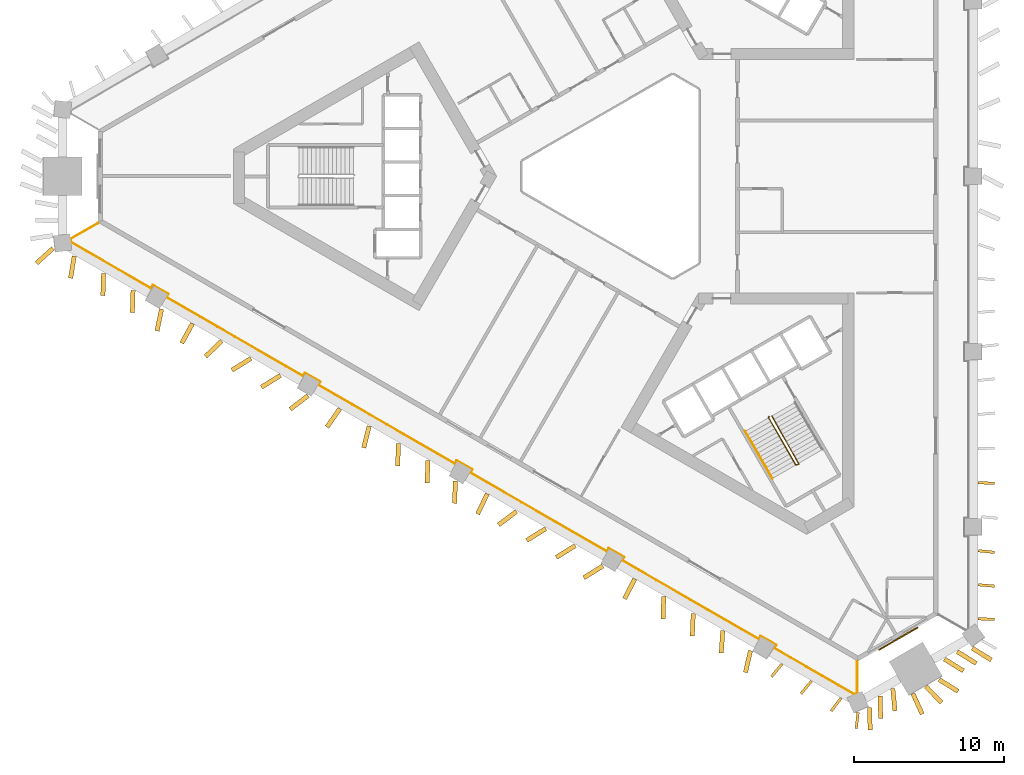
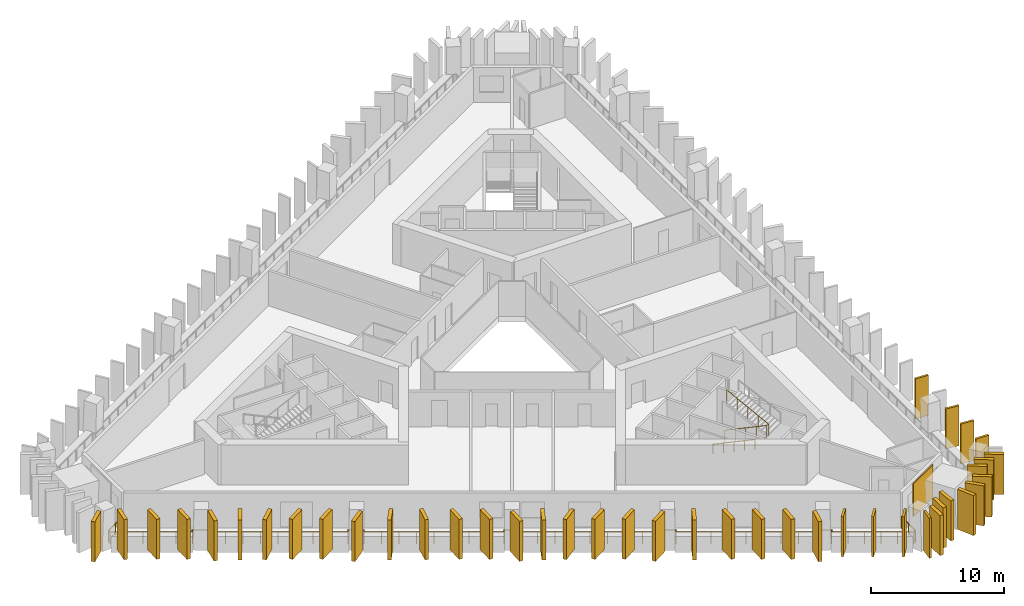
# One storey, part 7 of 10: 42 shading devices, 3 railings, 1 covering.
"""IFC4 building model written with IfcOpenShell, lengths in metres."""

from ifc_helpers import new_model, si_unit, direction, frame, frame_2d, origin, origin_2d, place, context, subcontext, project, spatial, rectangle, circle, extrude, material, layer, layer_set, type_object, element, save


model = new_model("IFC4")

# Units and contexts
model_context = context("Model", 3, precision=1e-05, world=origin(), true_north=direction((0.0, 1.0)))
body_context = subcontext(model_context, "Body", "Model", "MODEL_VIEW")
ifc_project = project(units=[si_unit("LENGTHUNIT", "METRE"), si_unit("AREAUNIT", "SQUARE_METRE"), si_unit("VOLUMEUNIT", "CUBIC_METRE"), si_unit("PLANEANGLEUNIT", "RADIAN"), si_unit("MASSUNIT", "GRAM", prefix="KILO")], contexts=[model_context])

# Site, building, storey
site_placement = place(None, origin())
site = spatial("IfcSite", under=ifc_project, at=site_placement, CompositionType="ELEMENT")
building_placement = place(site_placement, origin())
building = spatial("IfcBuilding", under=site, at=building_placement, Name="Jabali Bay Hotel Tower and Convention Centre", CompositionType="ELEMENT")
storey_placement = place(building_placement, frame((0.0, 0.0, 86.89990234375)))
storey = spatial("IfcBuildingStorey", under=building, at=storey_placement, Name="L20", CompositionType="ELEMENT", Elevation=86.89990234375)

# Railing
ifc_material_1 = material(Name="Glass", Category="glass")
railing_type_1 = type_object("IfcRailingType", Name="Loggia glass guard 1100", PredefinedType="BALUSTRADE", material=ifc_material_1)
railing_1_placement = place(storey_placement, frame((90.115234375, 47.542724609375, 0.0)))
element("IfcRailing", 1, at=railing_1_placement, inside=storey, type_object=railing_type_1, Name="Loggia glass guard L20", PredefinedType="BALUSTRADE", context=body_context, shape_type="SweptSolid", body=[
    extrude(circle(Radius=0.02490234375, at=origin_2d()), frame((0.0, 0.0, 1.0751953125), z_axis=(0.0, -1.0, 0.0), x_axis=(0.991444861374, 0.0, 0.13052619222)), (0.0, 0.0, 1.0), 2.110595703125),
    extrude(circle(Radius=0.02490234375, at=origin_2d()), frame((0.0, -2.110595703125, 1.0751953125), z_axis=(-0.918438029816, -0.395564894029, 0.0), x_axis=(0.392180781525, -0.910580665151, 0.13052619222)), (0.0, 0.0, 1.0), 0.21484375),
    extrude(circle(Radius=0.02490234375, at=origin_2d()), frame((-0.197265625, -2.195556640625, 1.0751953125), z_axis=(-0.866024386693, 0.50000176165, 0.0), x_axis=(-0.495724177266, -0.858615428011, 0.13052619222)), (0.0, 0.0, 1.0), 6.17919921875),
    extrude(circle(Radius=0.02490234375, at=origin_2d()), frame((-5.548583984375, 0.89404296875, 1.0751953125), z_axis=(0.499919672301, 0.866071776036, 0.0), x_axis=(-0.858662411932, 0.495642790202, 0.13052619222)), (0.0, 0.0, 1.0), 0.25),
    extrude(circle(Radius=0.02490234375, at=origin_2d()), frame((-5.423583984375, 1.110595703125, 1.0751953125), z_axis=(-0.866006032174, 0.500033551112, 0.0), x_axis=(-0.495755694765, -0.858597230518, 0.13052619222)), (0.0, 0.0, 1.0), 1.2001953125),
    extrude(circle(Radius=0.02490234375, at=origin_2d()), frame((-6.462890625, 1.710693359375, 1.0751953125), z_axis=(-0.499919672301, -0.866071776036, 0.0), x_axis=(0.858662411932, -0.495642790202, 0.13052619222)), (0.0, 0.0, 1.0), 0.25),
    extrude(circle(Radius=0.02490234375, at=origin_2d()), frame((-6.587890625, 1.494140625, 1.0751953125), z_axis=(-0.866026562566, 0.499997992926, 0.0), x_axis=(-0.495720440783, -0.858617585269, 0.13052619222)), (0.0, 0.0, 1.0), 10.533203125),
    extrude(circle(Radius=0.02490234375, at=origin_2d()), frame((-15.7099609375, 6.7607421875, 1.0751953125), z_axis=(0.499919672301, 0.866071776036, 0.0), x_axis=(-0.858662411932, 0.495642790202, 0.13052619222)), (0.0, 0.0, 1.0), 0.25),
    extrude(circle(Radius=0.02490234375, at=origin_2d()), frame((-15.5849609375, 6.977294921875, 1.0751953125), z_axis=(-0.866094119867, 0.499880961361, 0.0), x_axis=(-0.49560441044, -0.858684564609, 0.13052619222)), (0.0, 0.0, 1.0), 1.199951171875),
    extrude(circle(Radius=0.02490234375, at=origin_2d()), frame((-16.624267578125, 7.5771484375, 1.0751953125), z_axis=(-0.499919672301, -0.866071776036, 0.0), x_axis=(0.858662411932, -0.495642790202, 0.13052619222)), (0.0, 0.0, 1.0), 0.25),
    extrude(circle(Radius=0.02490234375, at=origin_2d()), frame((-16.749267578125, 7.360595703125, 1.0751953125), z_axis=(-0.866016526123, 0.500015376246, 0.0), x_axis=(-0.495737675387, -0.858607634689, 0.13052619222)), (0.0, 0.0, 1.0), 10.533447265625),
    extrude(circle(Radius=0.02490234375, at=origin_2d()), frame((-25.871337890625, 12.62744140625, 1.0751953125), z_axis=(0.500342721131, 0.865827443207, 0.0), x_axis=(-0.858420169404, 0.496062219791, 0.13052619222)), (0.0, 0.0, 1.0), 0.249755859375),
    extrude(circle(Radius=0.02490234375, at=origin_2d()), frame((-25.746337890625, 12.84375, 1.0751953125), z_axis=(-0.865955154139, 0.50012165622, 0.0), x_axis=(-0.495843046121, -0.858546787751, 0.13052619222)), (0.0, 0.0, 1.0), 1.199951171875),
    extrude(circle(Radius=0.02490234375, at=origin_2d()), frame((-26.785400390625, 13.44384765625, 1.0751953125), z_axis=(-0.499919672301, -0.866071776036, 0.0), x_axis=(0.858662411932, -0.495642790202, 0.13052619222)), (0.0, 0.0, 1.0), 0.25),
    extrude(circle(Radius=0.02490234375, at=origin_2d()), frame((-26.910400390625, 13.227294921875, 1.0751953125), z_axis=(-0.866026562566, 0.499997992926, 0.0), x_axis=(-0.495720440783, -0.858617585269, 0.13052619222)), (0.0, 0.0, 1.0), 10.533203125),
    extrude(circle(Radius=0.02490234375, at=origin_2d()), frame((-36.032470703125, 18.493896484375, 1.0751953125), z_axis=(0.499919672301, 0.866071776036, 0.0), x_axis=(-0.858662411932, 0.495642790202, 0.13052619222)), (0.0, 0.0, 1.0), 0.25),
    extrude(circle(Radius=0.02490234375, at=origin_2d()), frame((-35.907470703125, 18.71044921875, 1.0751953125), z_axis=(-0.866006032174, 0.500033551112, 0.0), x_axis=(-0.495755694765, -0.858597230518, 0.13052619222)), (0.0, 0.0, 1.0), 1.2001953125),
    extrude(circle(Radius=0.02490234375, at=origin_2d()), frame((-36.94677734375, 19.310546875, 1.0751953125), z_axis=(-0.499919672301, -0.866071776036, 0.0), x_axis=(0.858662411932, -0.495642790202, 0.13052619222)), (0.0, 0.0, 1.0), 0.25),
    extrude(circle(Radius=0.02490234375, at=origin_2d()), frame((-37.07177734375, 19.093994140625, 1.0751953125), z_axis=(-0.866026562566, 0.499997992926, 0.0), x_axis=(-0.495720440783, -0.858617585269, 0.13052619222)), (0.0, 0.0, 1.0), 10.533203125),
    extrude(circle(Radius=0.02490234375, at=origin_2d()), frame((-46.19384765625, 24.360595703125, 1.0751953125), z_axis=(0.499919672301, 0.866071776036, 0.0), x_axis=(-0.858662411932, 0.495642790202, 0.13052619222)), (0.0, 0.0, 1.0), 0.25),
    extrude(circle(Radius=0.02490234375, at=origin_2d()), frame((-46.06884765625, 24.5771484375, 1.0751953125), z_axis=(-0.866094119867, 0.499880961361, 0.0), x_axis=(-0.49560441044, -0.858684564609, 0.13052619222)), (0.0, 0.0, 1.0), 1.199951171875),
    extrude(circle(Radius=0.02490234375, at=origin_2d()), frame((-47.108154296875, 25.177001953125, 1.0751953125), z_axis=(-0.499919672301, -0.866071776036, 0.0), x_axis=(0.858662411932, -0.495642790202, 0.13052619222)), (0.0, 0.0, 1.0), 0.25),
    extrude(circle(Radius=0.02490234375, at=origin_2d()), frame((-47.233154296875, 24.96044921875, 1.0751953125), z_axis=(-0.866007278059, 0.500031393363, 0.0), x_axis=(-0.495753555475, -0.858598465744, 0.13052619222)), (0.0, 0.0, 1.0), 6.17919921875),
    extrude(circle(Radius=0.02490234375, at=origin_2d()), frame((-52.58447265625, 28.05029296875, 1.0751953125), z_axis=(-0.117171257249, 0.993111724065, 0.0), x_axis=(-0.984615515594, -0.116168840901, 0.13052619222)), (0.0, 0.0, 1.0), 0.214599609375),
    extrude(circle(Radius=0.02490234375, at=origin_2d()), frame((-52.609619140625, 28.263427734375, 1.0751953125), z_axis=(0.866006443985, 0.500032837899, 0.0), x_axis=(-0.495754987653, 0.858597638805, 0.13052619222)), (0.0, 0.0, 1.0), 2.110595703125),
    extrude(circle(Radius=0.02001953125, at=origin_2d()), origin(), (0.0, 0.0, 1.0), 1.050048828125),
    extrude(circle(Radius=0.02001953125, at=origin_2d()), frame((0.0, -1.05517578125, 0.0)), (0.0, 0.0, 1.0), 1.050048828125),
    extrude(circle(Radius=0.02001953125, at=origin_2d()), frame((0.0, -2.110595703125, 0.0)), (0.0, 0.0, 1.0), 1.050048828125),
    extrude(circle(Radius=0.02001953125, at=origin_2d()), frame((-0.197265625, -2.195556640625, 0.0)), (0.0, 0.0, 1.0), 1.050048828125),
    extrude(circle(Radius=0.02001953125, at=origin_2d()), frame((-1.267578125, -1.57763671875, 0.0)), (0.0, 0.0, 1.0), 1.050048828125),
    extrude(circle(Radius=0.02001953125, at=origin_2d()), frame((-2.337890625, -0.959716796875, 0.0)), (0.0, 0.0, 1.0), 1.050048828125),
    extrude(circle(Radius=0.02001953125, at=origin_2d()), frame((-3.407958984375, -0.341796875, 0.0)), (0.0, 0.0, 1.0), 1.050048828125),
    extrude(circle(Radius=0.02001953125, at=origin_2d()), frame((-4.478271484375, 0.276123046875, 0.0)), (0.0, 0.0, 1.0), 1.050048828125),
    extrude(circle(Radius=0.02001953125, at=origin_2d()), frame((-5.548583984375, 0.89404296875, 0.0)), (0.0, 0.0, 1.0), 1.050048828125),
    extrude(circle(Radius=0.02001953125, at=origin_2d()), frame((-5.423583984375, 1.110595703125, 0.0)), (0.0, 0.0, 1.0), 1.050048828125),
    extrude(circle(Radius=0.02001953125, at=origin_2d()), frame((-6.462890625, 1.710693359375, 0.0)), (0.0, 0.0, 1.0), 1.050048828125),
    extrude(circle(Radius=0.02001953125, at=origin_2d()), frame((-6.587890625, 1.494140625, 0.0)), (0.0, 0.0, 1.0), 1.050048828125),
    extrude(circle(Radius=0.02001953125, at=origin_2d()), frame((-7.72802734375, 2.15234375, 0.0)), (0.0, 0.0, 1.0), 1.050048828125),
    extrude(circle(Radius=0.02001953125, at=origin_2d()), frame((-8.868408203125, 2.810791015625, 0.0)), (0.0, 0.0, 1.0), 1.050048828125),
    extrude(circle(Radius=0.02001953125, at=origin_2d()), frame((-10.0087890625, 3.46923828125, 0.0)), (0.0, 0.0, 1.0), 1.050048828125),
    extrude(circle(Radius=0.02001953125, at=origin_2d()), frame((-11.14892578125, 4.12744140625, 0.0)), (0.0, 0.0, 1.0), 1.050048828125),
    extrude(circle(Radius=0.02001953125, at=origin_2d()), frame((-12.2890625, 4.78564453125, 0.0)), (0.0, 0.0, 1.0), 1.050048828125),
    extrude(circle(Radius=0.02001953125, at=origin_2d()), frame((-13.429443359375, 5.444091796875, 0.0)), (0.0, 0.0, 1.0), 1.050048828125),
    extrude(circle(Radius=0.02001953125, at=origin_2d()), frame((-14.56982421875, 6.1025390625, 0.0)), (0.0, 0.0, 1.0), 1.050048828125),
    extrude(circle(Radius=0.02001953125, at=origin_2d()), frame((-15.7099609375, 6.7607421875, 0.0)), (0.0, 0.0, 1.0), 1.050048828125),
    extrude(circle(Radius=0.02001953125, at=origin_2d()), frame((-15.5849609375, 6.977294921875, 0.0)), (0.0, 0.0, 1.0), 1.050048828125),
    extrude(circle(Radius=0.02001953125, at=origin_2d()), frame((-16.624267578125, 7.5771484375, 0.0)), (0.0, 0.0, 1.0), 1.050048828125),
    extrude(circle(Radius=0.02001953125, at=origin_2d()), frame((-16.749267578125, 7.360595703125, 0.0)), (0.0, 0.0, 1.0), 1.050048828125),
    extrude(circle(Radius=0.02001953125, at=origin_2d()), frame((-17.8896484375, 8.01904296875, 0.0)), (0.0, 0.0, 1.0), 1.050048828125),
    extrude(circle(Radius=0.02001953125, at=origin_2d()), frame((-19.02978515625, 8.67724609375, 0.0)), (0.0, 0.0, 1.0), 1.050048828125),
    extrude(circle(Radius=0.02001953125, at=origin_2d()), frame((-20.169921875, 9.335693359375, 0.0)), (0.0, 0.0, 1.0), 1.050048828125),
    extrude(circle(Radius=0.02001953125, at=origin_2d()), frame((-21.310302734375, 9.994140625, 0.0)), (0.0, 0.0, 1.0), 1.050048828125),
    extrude(circle(Radius=0.02001953125, at=origin_2d()), frame((-22.45068359375, 10.65234375, 0.0)), (0.0, 0.0, 1.0), 1.050048828125),
    extrude(circle(Radius=0.02001953125, at=origin_2d()), frame((-23.5908203125, 11.310791015625, 0.0)), (0.0, 0.0, 1.0), 1.050048828125),
    extrude(circle(Radius=0.02001953125, at=origin_2d()), frame((-24.73095703125, 11.968994140625, 0.0)), (0.0, 0.0, 1.0), 1.050048828125),
    extrude(circle(Radius=0.02001953125, at=origin_2d()), frame((-25.871337890625, 12.62744140625, 0.0)), (0.0, 0.0, 1.0), 1.050048828125),
    extrude(circle(Radius=0.02001953125, at=origin_2d()), frame((-25.746337890625, 12.84375, 0.0)), (0.0, 0.0, 1.0), 1.050048828125),
    extrude(circle(Radius=0.02001953125, at=origin_2d()), frame((-26.785400390625, 13.44384765625, 0.0)), (0.0, 0.0, 1.0), 1.050048828125),
    extrude(circle(Radius=0.02001953125, at=origin_2d()), frame((-26.910400390625, 13.227294921875, 0.0)), (0.0, 0.0, 1.0), 1.050048828125),
    extrude(circle(Radius=0.02001953125, at=origin_2d()), frame((-28.05078125, 13.8857421875, 0.0)), (0.0, 0.0, 1.0), 1.050048828125),
    extrude(circle(Radius=0.02001953125, at=origin_2d()), frame((-29.19091796875, 14.5439453125, 0.0)), (0.0, 0.0, 1.0), 1.050048828125),
    extrude(circle(Radius=0.02001953125, at=origin_2d()), frame((-30.3310546875, 15.2021484375, 0.0)), (0.0, 0.0, 1.0), 1.050048828125),
    extrude(circle(Radius=0.02001953125, at=origin_2d()), frame((-31.471435546875, 15.860595703125, 0.0)), (0.0, 0.0, 1.0), 1.050048828125),
    extrude(circle(Radius=0.02001953125, at=origin_2d()), frame((-32.61181640625, 16.51904296875, 0.0)), (0.0, 0.0, 1.0), 1.050048828125),
    extrude(circle(Radius=0.02001953125, at=origin_2d()), frame((-33.751953125, 17.17724609375, 0.0)), (0.0, 0.0, 1.0), 1.050048828125),
    extrude(circle(Radius=0.02001953125, at=origin_2d()), frame((-34.89208984375, 17.83544921875, 0.0)), (0.0, 0.0, 1.0), 1.050048828125),
    extrude(circle(Radius=0.02001953125, at=origin_2d()), frame((-36.032470703125, 18.493896484375, 0.0)), (0.0, 0.0, 1.0), 1.050048828125),
    extrude(circle(Radius=0.02001953125, at=origin_2d()), frame((-35.907470703125, 18.71044921875, 0.0)), (0.0, 0.0, 1.0), 1.050048828125),
    extrude(circle(Radius=0.02001953125, at=origin_2d()), frame((-36.94677734375, 19.310546875, 0.0)), (0.0, 0.0, 1.0), 1.050048828125),
    extrude(circle(Radius=0.02001953125, at=origin_2d()), frame((-37.07177734375, 19.093994140625, 0.0)), (0.0, 0.0, 1.0), 1.050048828125),
    extrude(circle(Radius=0.02001953125, at=origin_2d()), frame((-38.2119140625, 19.75244140625, 0.0)), (0.0, 0.0, 1.0), 1.050048828125),
    extrude(circle(Radius=0.02001953125, at=origin_2d()), frame((-39.352294921875, 20.41064453125, 0.0)), (0.0, 0.0, 1.0), 1.050048828125),
    extrude(circle(Radius=0.02001953125, at=origin_2d()), frame((-40.49267578125, 21.06884765625, 0.0)), (0.0, 0.0, 1.0), 1.050048828125),
    extrude(circle(Radius=0.02001953125, at=origin_2d()), frame((-41.6328125, 21.727294921875, 0.0)), (0.0, 0.0, 1.0), 1.050048828125),
    extrude(circle(Radius=0.02001953125, at=origin_2d()), frame((-42.77294921875, 22.3857421875, 0.0)), (0.0, 0.0, 1.0), 1.050048828125),
    extrude(circle(Radius=0.02001953125, at=origin_2d()), frame((-43.913330078125, 23.0439453125, 0.0)), (0.0, 0.0, 1.0), 1.050048828125),
    extrude(circle(Radius=0.02001953125, at=origin_2d()), frame((-45.0537109375, 23.7021484375, 0.0)), (0.0, 0.0, 1.0), 1.050048828125),
    extrude(circle(Radius=0.02001953125, at=origin_2d()), frame((-46.19384765625, 24.360595703125, 0.0)), (0.0, 0.0, 1.0), 1.050048828125),
    extrude(circle(Radius=0.02001953125, at=origin_2d()), frame((-46.06884765625, 24.5771484375, 0.0)), (0.0, 0.0, 1.0), 1.050048828125),
    extrude(circle(Radius=0.02001953125, at=origin_2d()), frame((-47.108154296875, 25.177001953125, 0.0)), (0.0, 0.0, 1.0), 1.050048828125),
    extrude(circle(Radius=0.02001953125, at=origin_2d()), frame((-47.233154296875, 24.96044921875, 0.0)), (0.0, 0.0, 1.0), 1.050048828125),
    extrude(circle(Radius=0.02001953125, at=origin_2d()), frame((-48.303466796875, 25.578369140625, 0.0)), (0.0, 0.0, 1.0), 1.050048828125),
    extrude(circle(Radius=0.02001953125, at=origin_2d()), frame((-49.373779296875, 26.1962890625, 0.0)), (0.0, 0.0, 1.0), 1.050048828125),
    extrude(circle(Radius=0.02001953125, at=origin_2d()), frame((-50.44384765625, 26.814453125, 0.0)), (0.0, 0.0, 1.0), 1.050048828125),
    extrude(circle(Radius=0.02001953125, at=origin_2d()), frame((-51.51416015625, 27.432373046875, 0.0)), (0.0, 0.0, 1.0), 1.050048828125),
    extrude(circle(Radius=0.02001953125, at=origin_2d()), frame((-52.58447265625, 28.05029296875, 0.0)), (0.0, 0.0, 1.0), 1.050048828125),
    extrude(circle(Radius=0.02001953125, at=origin_2d()), frame((-52.609619140625, 28.263427734375, 0.0)), (0.0, 0.0, 1.0), 1.050048828125),
    extrude(circle(Radius=0.02001953125, at=origin_2d()), frame((-51.69580078125, 28.791015625, 0.0)), (0.0, 0.0, 1.0), 1.050048828125),
    extrude(circle(Radius=0.02001953125, at=origin_2d()), frame((-50.78173828125, 29.31884765625, 0.0)), (0.0, 0.0, 1.0), 1.050048828125),
])

# Shading devices
ifc_material_2 = material(Name="Precast concrete C60", Category="concrete")
ifc_layer_1 = layer(ifc_material_2, 0.179931640625)
ifc_layer_set_1 = layer_set([ifc_layer_1], Name="Precast concrete C60")
shading_device_type_1 = type_object("IfcShadingDeviceType", Name="Precast fin 3680 x 1100", PredefinedType="USERDEFINED", material=ifc_layer_set_1)
shading_device_1_placement = place(storey_placement, frame((98.196533203125, 50.405029296875, 0.010009765625), z_axis=(0.0, 0.0, 1.0), x_axis=(0.999496140034, -0.031740605824, 0.0)))
element("IfcShadingDevice", 2, at=shading_device_1_placement, inside=storey, type_object=shading_device_type_1, Name="Fin L20 000", ObjectType="FIN", PredefinedType="USERDEFINED", context=body_context, shape_type="SweptSolid", body=[
    extrude(rectangle(XDim=1.099853515625, YDim=0.179931640625, at=frame_2d((0.5498046875, 0.0))), origin(), (0.0, 0.0, 1.0), 3.68017578125),
])
shading_device_2_placement = place(storey_placement, frame((98.201171875, 52.681396484375, 0.010009765625), z_axis=(0.0, 0.0, 1.0), x_axis=(0.996419120932, -0.084551377522, 0.0)))
element("IfcShadingDevice", 3, at=shading_device_2_placement, inside=storey, type_object=shading_device_type_1, Name="Fin L20 001", ObjectType="FIN", PredefinedType="USERDEFINED", context=body_context, shape_type="SweptSolid", body=[
    extrude(rectangle(XDim=1.10009765625, YDim=0.179931640625, at=frame_2d((0.550048828125, 0.0))), origin(), (0.0, 0.0, 1.0), 3.68017578125),
])
for number, where, z_axis, x_axis, name in (
    (4, (98.20263671875, 54.9580078125, 0.010009765625), (0.0, 0.0, 1.0), (0.995087609246, -0.098998231926, 0.0), "Fin L20 002"),
    (5, (98.197998046875, 59.51123046875, 0.010009765625), (0.0, 0.0, 1.0), (0.998871148906, -0.047501872415, 0.0), "Fin L20 004"),
):
    element("IfcShadingDevice", number, at=place(storey_placement, frame(where, z_axis=z_axis, x_axis=x_axis)), inside=storey, type_object=shading_device_type_1, Name=name, ObjectType="FIN", PredefinedType="USERDEFINED", context=body_context, shape_type="SweptSolid", body=[
        extrude(rectangle(XDim=1.099853515625, YDim=0.179931640625, at=frame_2d((0.5498046875, 0.0))), origin(), (0.0, 0.0, 1.0), 3.68017578125),
    ])
for number, where, z_axis, x_axis, name in (
    (6, (85.082275390625, 47.37939453125, 0.010009765625), (0.0, 0.0, 1.0), (-0.641624054515, -0.767019277898, 0.0), "Fin L20 096"),
    (7, (87.053955078125, 46.2412109375, 0.010009765625), (0.0, 0.0, 1.0), (-0.64029354345, -0.768130313304, 0.0), "Fin L20 097"),
    (8, (89.027587890625, 45.1064453125, 0.010009765625), (0.0, 0.0, 1.0), (-0.604571054214, -0.796551216437, 0.0), "Fin L20 098"),
    (9, (90.165283203125, 44.153076171875, 0.010009765625), (0.0, 0.0, 1.0), (-0.114742042214, -0.993395320982, 0.0), "Fin L20 113"),
):
    element("IfcShadingDevice", number, at=place(storey_placement, frame(where, z_axis=z_axis, x_axis=x_axis)), inside=storey, type_object=shading_device_type_1, Name=name, ObjectType="FIN", PredefinedType="USERDEFINED", context=body_context, shape_type="SweptSolid", body=[
        extrude(rectangle(XDim=1.10009765625, YDim=0.179931640625, at=frame_2d((0.550048828125, 0.0))), origin(), (0.0, 0.0, 1.0), 3.68017578125),
    ])
ifc_layer_2 = layer(ifc_material_2, 0.300048828125)
ifc_layer_set_2 = layer_set([ifc_layer_2], Name="Precast concrete C60")
shading_device_type_2 = type_object("IfcShadingDeviceType", Name="Precast fin 3680 x 1500", PredefinedType="USERDEFINED", material=ifc_layer_set_2)
shading_device_3_placement = place(storey_placement, frame((37.74658203125, 74.665283203125, 0.010009765625), z_axis=(0.0, 0.0, 1.0), x_axis=(-0.161969929986, -0.986795694042, 0.0)))
element("IfcShadingDevice", 10, at=shading_device_3_placement, inside=storey, type_object=shading_device_type_2, Name="Fin L20 072", ObjectType="FIN", PredefinedType="USERDEFINED", context=body_context, shape_type="SweptSolid", body=[
    extrude(rectangle(XDim=1.499755859375, YDim=0.300048828125, at=frame_2d((0.75, 0.0))), origin(), (0.0, 0.0, 1.0), 3.68017578125),
])
for number, where, z_axis, x_axis, name in (
    (11, (39.709228515625, 73.511474609375, 0.010009765625), (0.0, 0.0, 1.0), (-0.031087393585, -0.999516670176, 0.0), "Fin L20 073"),
    (12, (41.6806640625, 72.373291015625, 0.010009765625), (0.0, 0.0, 1.0), (-0.030924788426, -0.999521714352, 0.0), "Fin L20 074"),
    (13, (43.586669921875, 71.121337890625, 0.010009765625), (0.0, 0.0, 1.0), (-0.202309584752, -0.979321618222, 0.0), "Fin L20 075"),
    (14, (45.65771484375, 70.1552734375, 0.010009765625), (0.0, 0.0, 1.0), (-0.480937551429, -0.876754852639, 0.0), "Fin L20 076"),
    (15, (47.60986328125, 68.983642578125, 0.010009765625), (0.0, 0.0, 1.0), (-0.722001756006, -0.691891222899, 0.0), "Fin L20 077"),
    (16, (49.56689453125, 67.820068359375, 0.010009765625), (0.0, 0.0, 1.0), (-0.850140244576, -0.526556326097, 0.0), "Fin L20 078"),
    (17, (51.538330078125, 66.681884765625, 0.010009765625), (0.0, 0.0, 1.0), (-0.850140244576, -0.526556326097, 0.0), "Fin L20 079"),
    (18, (53.3876953125, 65.33203125, 0.010009765625), (0.0, 0.0, 1.0), (-0.795248607181, -0.606283475593, 0.0), "Fin L20 080"),
    (19, (55.510498046875, 64.455322265625, 0.010009765625), (0.0, 0.0, 1.0), (-0.574041132637, -0.818826463935, 0.0), "Fin L20 081"),
    (20, (57.4677734375, 63.29248046875, 0.010009765625), (0.0, 0.0, 1.0), (-0.239585640425, -0.970875234467, 0.0), "Fin L20 082"),
    (21, (59.424560546875, 62.12890625, 0.010009765625), (0.0, 0.0, 1.0), (-0.030924788426, -0.999521714352, 0.0), "Fin L20 083"),
    (22, (61.396240234375, 60.990478515625, 0.010009765625), (0.0, 0.0, 1.0), (-0.030924788426, -0.999521714352, 0.0), "Fin L20 084"),
):
    element("IfcShadingDevice", number, at=place(storey_placement, frame(where, z_axis=z_axis, x_axis=x_axis)), inside=storey, type_object=shading_device_type_2, Name=name, ObjectType="FIN", PredefinedType="USERDEFINED", context=body_context, shape_type="SweptSolid", body=[
        extrude(rectangle(XDim=1.5, YDim=0.300048828125, at=frame_2d((0.75, 0.0))), origin(), (0.0, 0.0, 1.0), 3.68017578125),
    ])
shading_device_4_placement = place(storey_placement, frame((63.23974609375, 59.63037109375, 0.010009765625), z_axis=(0.0, 0.0, 1.0), x_axis=(-0.041346171373, -0.999144881443, 0.0)))
element("IfcShadingDevice", 23, at=shading_device_4_placement, inside=storey, type_object=shading_device_type_2, Name="Fin L20 085", ObjectType="FIN", PredefinedType="USERDEFINED", context=body_context, shape_type="SweptSolid", body=[
    extrude(rectangle(XDim=1.499755859375, YDim=0.300048828125, at=frame_2d((0.75, 0.0))), origin(), (0.0, 0.0, 1.0), 3.68017578125),
])
shading_device_5_placement = place(storey_placement, frame((65.368896484375, 58.765380859375, 0.010009765625), z_axis=(0.0, 0.0, 1.0), x_axis=(-0.430798875167, -0.902447964791, 0.0)))
element("IfcShadingDevice", 24, at=shading_device_5_placement, inside=storey, type_object=shading_device_type_2, Name="Fin L20 086", ObjectType="FIN", PredefinedType="USERDEFINED", context=body_context, shape_type="SweptSolid", body=[
    extrude(rectangle(XDim=1.5, YDim=0.300048828125, at=frame_2d((0.75, 0.0))), origin(), (0.0, 0.0, 1.0), 3.68017578125),
])
shading_device_6_placement = place(storey_placement, frame((67.317138671875, 57.586669921875, 0.010009765625), z_axis=(0.0, 0.0, 1.0), x_axis=(-0.79790558959, -0.602782440106, 0.0)))
element("IfcShadingDevice", 25, at=shading_device_6_placement, inside=storey, type_object=shading_device_type_2, Name="Fin L20 087", ObjectType="FIN", PredefinedType="USERDEFINED", context=body_context, shape_type="SweptSolid", body=[
    extrude(rectangle(XDim=1.500244140625, YDim=0.300048828125, at=frame_2d((0.75, 0.0))), origin(), (0.0, 0.0, 1.0), 3.68017578125),
])
for number, where, z_axis, x_axis, name in (
    (26, (69.2822265625, 56.4375, 0.010009765625), (0.0, 0.0, 1.0), (-0.850140244576, -0.526556326097, 0.0), "Fin L20 088"),
    (27, (71.25390625, 55.299072265625, 0.010009765625), (0.0, 0.0, 1.0), (-0.850140244576, -0.526556326097, 0.0), "Fin L20 089"),
    (28, (73.0966796875, 53.93798828125, 0.010009765625), (0.0, 0.0, 1.0), (-0.850067379866, -0.526673950076, 0.0), "Fin L20 090"),
    (29, (75.22802734375, 53.07666015625, 0.010009765625), (0.0, 0.0, 1.0), (-0.449360643204, -0.893350442066, 0.0), "Fin L20 091"),
    (30, (77.168701171875, 51.884765625, 0.010009765625), (0.0, 0.0, 1.0), (-0.033363600785, -0.999443280103, 0.0), "Fin L20 092"),
    (31, (79.140625, 50.747314453125, 0.010009765625), (0.0, 0.0, 1.0), (-0.04036453575, -0.999185020031, 0.0), "Fin L20 093"),
    (32, (81.11376953125, 49.61181640625, 0.010009765625), (0.0, 0.0, 1.0), (-0.065265867243, -0.997867910383, 0.0), "Fin L20 094"),
    (33, (82.9716796875, 48.2763671875, 0.010009765625), (0.0, 0.0, 1.0), (-0.226570951087, -0.973994663293, 0.0), "Fin L20 095"),
    (34, (90.928466796875, 44.470703125, 0.010009765625), (0.0, 0.0, 1.0), (0.030924788426, -0.999521714352, 0.0), "Fin L20 099"),
    (35, (91.63330078125, 45.23486328125, 0.010009765625), (0.0, 0.0, 1.0), (0.030924788426, -0.999521714352, 0.0), "Fin L20 100"),
    (36, (92.48828125, 45.7392578125, 0.010009765625), (0.0, 0.0, 1.0), (0.099439264006, -0.995043633603, 0.0), "Fin L20 101"),
    (37, (93.830322265625, 45.39990234375, 0.010009765625), (0.0, 0.0, 1.0), (0.415690522624, -0.909506123894, 0.0), "Fin L20 102"),
    (38, (94.701171875, 45.87646484375, 0.010009765625), (0.0, 0.0, 1.0), (0.697273604709, -0.71680507823, 0.0), "Fin L20 103"),
    (39, (95.577880859375, 46.34326171875, 0.010009765625), (0.0, 0.0, 1.0), (0.850140244576, -0.526556326097, 0.0), "Fin L20 104"),
):
    element("IfcShadingDevice", number, at=place(storey_placement, frame(where, z_axis=z_axis, x_axis=x_axis)), inside=storey, type_object=shading_device_type_2, Name=name, ObjectType="FIN", PredefinedType="USERDEFINED", context=body_context, shape_type="SweptSolid", body=[
        extrude(rectangle(XDim=1.5, YDim=0.300048828125, at=frame_2d((0.75, 0.0))), origin(), (0.0, 0.0, 1.0), 3.68017578125),
    ])
shading_device_7_placement = place(storey_placement, frame((95.93115234375, 47.71630859375, 0.010009765625), z_axis=(0.0, 0.0, 1.0), x_axis=(0.850185364679, -0.526483471427, 0.0)))
element("IfcShadingDevice", 40, at=shading_device_7_placement, inside=storey, type_object=shading_device_type_2, Name="Fin L20 105", ObjectType="FIN", PredefinedType="USERDEFINED", context=body_context, shape_type="SweptSolid", body=[
    extrude(rectangle(XDim=1.500244140625, YDim=0.300048828125, at=frame_2d((0.75, 0.0))), origin(), (0.0, 0.0, 1.0), 3.68017578125),
])
shading_device_8_placement = place(storey_placement, frame((96.790771484375, 48.21240234375, 0.010009765625), z_axis=(0.0, 0.0, 1.0), x_axis=(0.850213105497, -0.52643867187, 0.0)))
element("IfcShadingDevice", 41, at=shading_device_8_placement, inside=storey, type_object=shading_device_type_2, Name="Fin L20 106", ObjectType="FIN", PredefinedType="USERDEFINED", context=body_context, shape_type="SweptSolid", body=[
    extrude(rectangle(XDim=1.499755859375, YDim=0.300048828125, at=frame_2d((0.75, 0.0))), origin(), (0.0, 0.0, 1.0), 3.68017578125),
])
shading_device_9_placement = place(storey_placement, frame((97.804931640625, 48.44091796875, 0.010009765625), z_axis=(0.0, 0.0, 1.0), x_axis=(0.850185364679, -0.526483471427, 0.0)))
element("IfcShadingDevice", 42, at=shading_device_9_placement, inside=storey, type_object=shading_device_type_2, Name="Fin L20 107", ObjectType="FIN", PredefinedType="USERDEFINED", context=body_context, shape_type="SweptSolid", body=[
    extrude(rectangle(XDim=1.500244140625, YDim=0.300048828125, at=frame_2d((0.75, 0.0))), origin(), (0.0, 0.0, 1.0), 3.68017578125),
])
shading_device_10_placement = place(storey_placement, frame((36.333251953125, 75.18701171875, 0.010009765625), z_axis=(0.0, 0.0, 1.0), x_axis=(-0.741153952369, -0.671335101784, 0.0)))
element("IfcShadingDevice", 43, at=shading_device_10_placement, inside=storey, type_object=shading_device_type_2, Name="Fin L20 112", ObjectType="FIN", PredefinedType="USERDEFINED", context=body_context, shape_type="SweptSolid", body=[
    extrude(rectangle(XDim=1.5, YDim=0.300048828125, at=frame_2d((0.75, 0.0))), origin(), (0.0, 0.0, 1.0), 3.68017578125),
])

# Covering
ifc_material_3 = material(Name="Precast concrete C40/50", Category="concrete")
ifc_layer_3 = layer(ifc_material_3, 0.080078125)
ifc_layer_set_3 = layer_set([ifc_layer_3], Name="Precast concrete C40/50")
covering_type = type_object("IfcCoveringType", Name="Relief panel 3000 x 3000", PredefinedType="CLADDING", material=ifc_layer_set_3)
covering_placement = place(storey_placement, frame((92.853271484375, 49.077392578125, 0.10009765625), z_axis=(0.0, 0.0, 1.0), x_axis=(-0.86602542965, -0.499999955199, 0.0)))
element("IfcCovering", 44, at=covering_placement, inside=storey, type_object=covering_type, Name="Relief panel L20", PredefinedType="CLADDING", context=body_context, shape_type="SweptSolid", body=[
    extrude(rectangle(XDim=3.0, YDim=0.080078125, at=origin_2d()), origin(), (0.0, 0.0, 1.0), 3.0),
])

# Railings
ifc_material_4 = material(Name="Steel Q355B", Category="steel")
railing_type_2 = type_object("IfcRailingType", Name="Stair guard 1100", PredefinedType="GUARDRAIL", material=ifc_material_4)
railing_2_placement = place(storey_placement, frame((84.199951171875, 63.9150390625, 0.0)))
element("IfcRailing", 45, at=railing_2_placement, inside=storey, type_object=railing_type_2, Name="L20 ST3 stair guard 1", PredefinedType="GUARDRAIL", context=body_context, shape_type="SweptSolid", body=[
    extrude(circle(Radius=0.02392578125, at=origin_2d()), frame((0.0, 0.0, 1.076171875), z_axis=(-0.122021570157, -0.455547195254, 0.88180921367), x_axis=(0.965948051503, -0.258736085224, 0.0)), (0.0, 0.0, 1.0), 0.150146484375),
    extrude(circle(Radius=0.02392578125, at=origin_2d()), frame((-0.018310546875, -0.068359375, 1.20849609375), z_axis=(0.452190331055, -0.783190014029, 0.426775475427), x_axis=(0.866018046521, 0.500012742938, 0.0)), (0.0, 0.0, 1.0), 4.02490234375),
    extrude(circle(Radius=0.02392578125, at=origin_2d()), frame((1.8017578125, -3.220703125, 2.92626953125), z_axis=(0.96121063429, 0.275815366736, 0.0), x_axis=(-0.275815366736, 0.96121063429, 0.0)), (0.0, 0.0, 1.0), 0.206298828125),
    extrude(circle(Radius=0.02392578125, at=origin_2d()), frame((2.0, -3.163818359375, 2.92626953125), z_axis=(-0.436470229993, 0.780146179382, 0.448180406895), x_axis=(-0.872702246529, -0.488252792008, 0.0)), (0.0, 0.0, 1.0), 4.1279296875),
    extrude(circle(Radius=0.02099609375, at=origin_2d()), origin(), (0.0, 0.0, 1.0), 1.052001953125),
    extrude(circle(Radius=0.02099609375, at=origin_2d()), frame((-0.018310546875, -0.068359375, 0.13232421875)), (0.0, 0.0, 1.0), 1.052001953125),
    extrude(circle(Radius=0.02099609375, at=origin_2d()), frame((0.436767578125, -0.8564453125, 0.561767578125)), (0.0, 0.0, 1.0), 1.052001953125),
    extrude(circle(Radius=0.02099609375, at=origin_2d()), frame((0.8916015625, -1.64453125, 0.9912109375)), (0.0, 0.0, 1.0), 1.052001953125),
    extrude(circle(Radius=0.02099609375, at=origin_2d()), frame((1.3466796875, -2.4326171875, 1.420654296875)), (0.0, 0.0, 1.0), 1.052001953125),
    extrude(circle(Radius=0.02099609375, at=origin_2d()), frame((1.8017578125, -3.220703125, 1.85009765625)), (0.0, 0.0, 1.0), 1.052001953125),
    extrude(circle(Radius=0.02099609375, at=origin_2d()), frame((2.0, -3.163818359375, 1.85009765625)), (0.0, 0.0, 1.0), 1.052001953125),
    extrude(circle(Radius=0.02099609375, at=origin_2d()), frame((1.549560546875, -2.358642578125, 2.3125)), (0.0, 0.0, 1.0), 1.052001953125),
    extrude(circle(Radius=0.02099609375, at=origin_2d()), frame((1.09912109375, -1.5537109375, 2.775146484375)), (0.0, 0.0, 1.0), 1.052001953125),
    extrude(circle(Radius=0.02099609375, at=origin_2d()), frame((0.648681640625, -0.74853515625, 3.23779296875)), (0.0, 0.0, 1.0), 1.052001953125),
    extrude(circle(Radius=0.02099609375, at=origin_2d()), frame((0.1982421875, 0.056640625, 3.7001953125)), (0.0, 0.0, 1.0), 1.052001953125),
])
railing_type_3 = type_object("IfcRailingType", Name="Stair handrail 900", PredefinedType="HANDRAIL", material=ifc_material_4)
railing_3_placement = place(storey_placement, frame((82.622802734375, 62.94677734375, 0.13232421875)))
element("IfcRailing", 46, at=railing_3_placement, inside=storey, type_object=railing_type_3, Name="L20 ST3 stair handrail 1", PredefinedType="HANDRAIL", context=body_context, shape_type="SweptSolid", body=[
    extrude(circle(Radius=0.02392578125, at=origin_2d()), frame((0.0, 0.0, 0.8759765625), z_axis=(0.452190331055, -0.783190014029, 0.426775475427), x_axis=(0.866018046521, 0.500012742938, 0.0)), (0.0, 0.0, 1.0), 4.02490234375),
    extrude(circle(Radius=0.02099609375, at=origin_2d()), origin(), (0.0, 0.0, 1.0), 0.851806640625),
    extrude(circle(Radius=0.02099609375, at=origin_2d()), frame((0.455078125, -0.7880859375, 0.429443359375)), (0.0, 0.0, 1.0), 0.851806640625),
    extrude(circle(Radius=0.02099609375, at=origin_2d()), frame((0.91015625, -1.576171875, 0.85888671875)), (0.0, 0.0, 1.0), 0.851806640625),
    extrude(circle(Radius=0.02099609375, at=origin_2d()), frame((1.364990234375, -2.3642578125, 1.288330078125)), (0.0, 0.0, 1.0), 0.851806640625),
    extrude(circle(Radius=0.02099609375, at=origin_2d()), frame((1.820068359375, -3.15234375, 1.7177734375)), (0.0, 0.0, 1.0), 0.851806640625),
])

save(model, "model.ifc")
